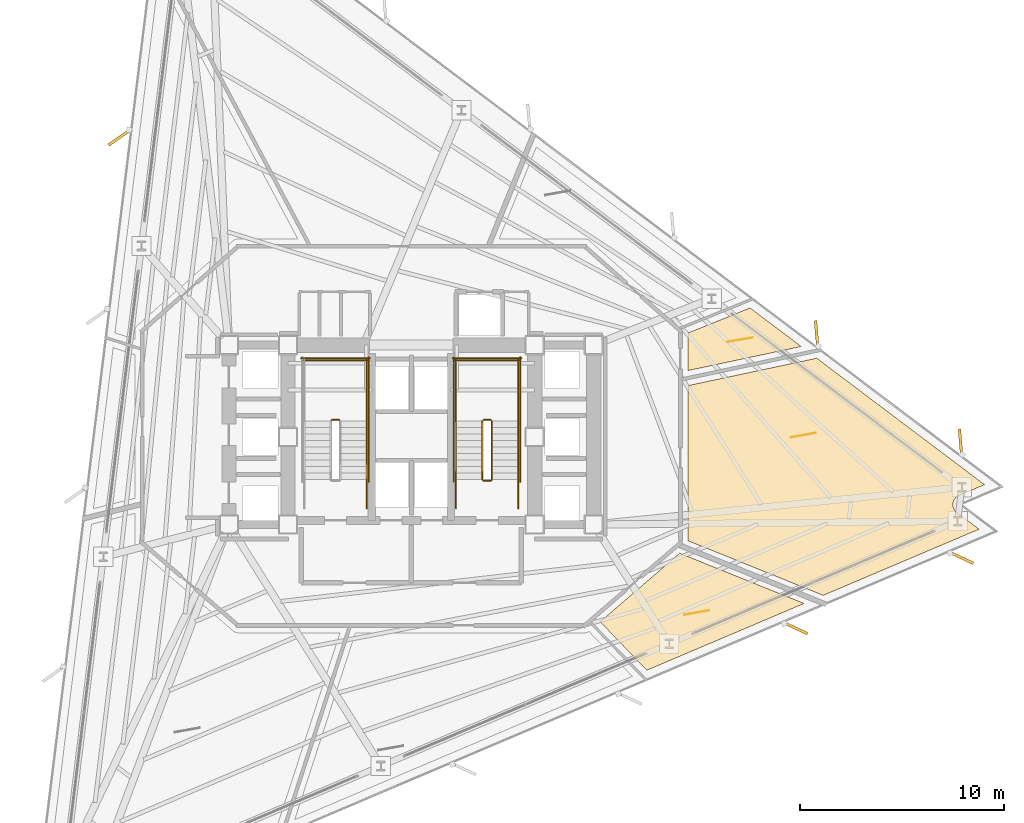
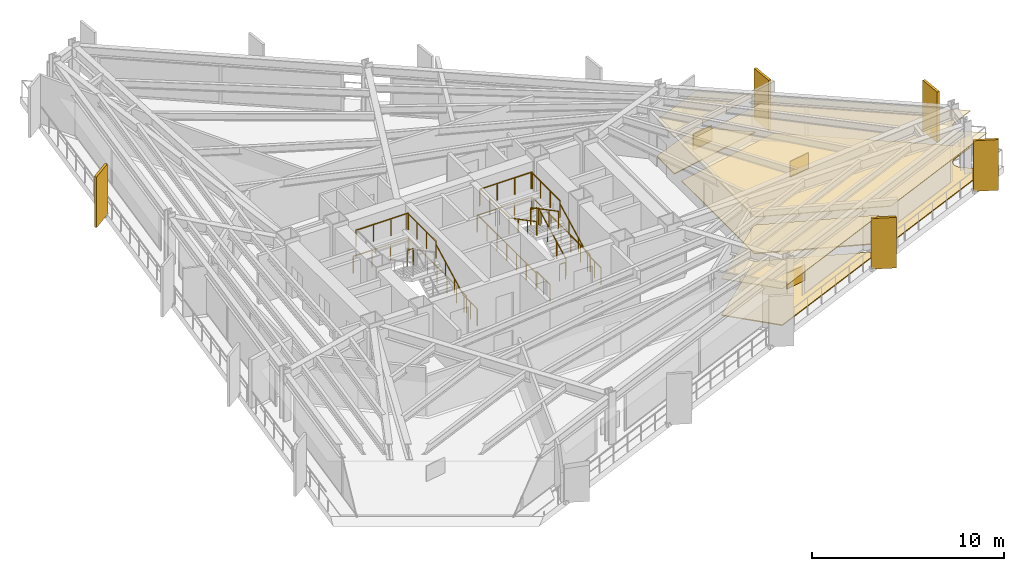
# One storey, part 12 of 13: 21 railings, 9 coverings, 5 shading devices.
"""IFC4 building model written with IfcOpenShell, lengths in metres."""

from ifc_helpers import new_model, si_unit, direction, frame, origin, origin_2d, place, context, subcontext, project, spatial, polyline, rectangle, outline, extrude, material, layer, layer_set, type_object, element, save


model = new_model("IFC4")

# Units and contexts
model_context = context("Model", 3, precision=1e-05, world=origin(), true_north=direction((0.0, 1.0)))
body_context = subcontext(model_context, "Body", "Model", "MODEL_VIEW")
ifc_project = project(units=[si_unit("LENGTHUNIT", "METRE"), si_unit("AREAUNIT", "SQUARE_METRE"), si_unit("VOLUMEUNIT", "CUBIC_METRE"), si_unit("PLANEANGLEUNIT", "RADIAN"), si_unit("MASSUNIT", "GRAM", prefix="KILO")], contexts=[model_context])

# Site, building, storey
site_placement = place(None, origin())
site = spatial("IfcSite", under=ifc_project, at=site_placement, CompositionType="ELEMENT")
building_placement = place(site_placement, origin())
building = spatial("IfcBuilding", under=site, at=building_placement, Name="Rocaltana Carrier Exchange", CompositionType="ELEMENT")
storey_placement = place(building_placement, frame((0.0, 0.0, 49.60009765625)))
storey = spatial("IfcBuildingStorey", under=building, at=storey_placement, Name="L15", CompositionType="ELEMENT", Elevation=49.60009765625)

# Coverings
ifc_material_1 = material(Name="Calcium Sulphate & Aluminium Pedestal", Category="aluminium")
ifc_layer_1 = layer(ifc_material_1, 0.06005859375)
ifc_layer_set_1 = layer_set([ifc_layer_1], Name="Calcium Sulphate & Aluminium Pedestal")
covering_type_1 = type_object("IfcCoveringType", Name="Anti-Static Raised Exchange Access Floor 60", PredefinedType="FLOORING", material=ifc_layer_set_1)
covering_1_placement = place(storey_placement, origin())
element("IfcCovering", 1, at=covering_1_placement, inside=storey, type_object=covering_type_1, Name="L15 Network Engineering Studio Finish Floor", PredefinedType="FLOORING", context=body_context, shape_type="SweptSolid", body=[
    extrude(outline(polyline([(11.553955078125, -11.4462890625), (9.259765625, -9.070556640625), (13.16357421875, -5.706787109375), (19.266357421875, -8.17236328125), (11.553955078125, -11.4462890625)])), origin(), (0.0, 0.0, 1.0), 0.059814453125),
])
covering_2_placement = place(storey_placement, origin())
element("IfcCovering", 2, at=covering_2_placement, inside=storey, type_object=covering_type_1, Name="L15 Peering Conference Room Finish Floor", PredefinedType="FLOORING", context=body_context, shape_type="SweptSolid", body=[
    extrude(outline(polyline([(13.56005859375, -5.09033203125), (13.56005859375, 2.51416015625), (19.8876953125, 3.859130859375), (28.1201171875, -2.344482421875), (26.860107421875, -2.87939453125), (26.847412109375, -2.885009765625), (26.82958984375, -2.893798828125), (26.80517578125, -2.906982421875), (26.7880859375, -2.91748046875), (26.76513671875, -2.933349609375), (26.749267578125, -2.9453125), (26.727783203125, -2.96337890625), (26.71337890625, -2.97705078125), (26.69384765625, -2.9970703125), (26.6806640625, -3.01220703125), (26.663330078125, -3.033935546875), (26.65185546875, -3.050048828125), (26.63671875, -3.073486328125), (26.626708984375, -3.0908203125), (26.614013671875, -3.11572265625), (26.60595703125, -3.134033203125), (26.595703125, -3.159912109375), (26.589599609375, -3.178955078125), (26.58203125, -3.205810546875), (26.57763671875, -3.225341796875), (26.57275390625, -3.252685546875), (26.5703125, -3.2724609375), (26.568359375, -3.30029296875), (26.56787109375, -3.3203125), (26.568603515625, -3.34814453125), (26.5703125, -3.3681640625), (26.57373046875, -3.395751953125), (26.577392578125, -3.415283203125), (26.58349609375, -3.442626953125), (26.589111328125, -3.4619140625), (26.597900390625, -3.48828125), (26.605224609375, -3.5068359375), (26.616943359375, -3.5322265625), (26.6259765625, -3.5498046875), (26.639892578125, -3.573974609375), (26.65087890625, -3.5908203125), (26.667236328125, -3.61328125), (26.6796875, -3.62890625), (26.6982421875, -3.64990234375), (26.712158203125, -3.6640625), (26.732666015625, -3.68310546875), (26.748046875, -3.69580078125), (26.7587890625, -3.70458984375), (27.851806640625, -4.528076171875), (20.20361328125, -7.7744140625), (13.56005859375, -5.09033203125)])), origin(), (0.0, 0.0, 1.0), 0.059814453125),
])
covering_3_placement = place(storey_placement, origin())
element("IfcCovering", 3, at=covering_3_placement, inside=storey, type_object=covering_type_1, Name="L15 Protocol Calibration Laboratory Finish Floor", PredefinedType="FLOORING", context=body_context, shape_type="SweptSolid", body=[
    extrude(outline(polyline([(13.56005859375, 5.09033203125), (16.615478515625, 6.32470703125), (19.125732421875, 4.433349609375), (13.56005859375, 3.250244140625), (13.56005859375, 5.09033203125)])), origin(), (0.0, 0.0, 1.0), 0.059814453125),
])
ifc_material_2 = material(Name="Mineral Fibre & Powder-Coated Aluminium", Category="aluminium")
ifc_layer_2 = layer(ifc_material_2, 0.044921875)
ifc_layer_set_2 = layer_set([ifc_layer_2], Name="Mineral Fibre & Powder-Coated Aluminium")
covering_type_2 = type_object("IfcCoveringType", Name="Micro-Perforated Acoustic Ceiling 45", PredefinedType="CEILING", material=ifc_layer_set_2)
covering_4_placement = place(storey_placement, frame((0.0, 0.0, 2.322998046875)))
element("IfcCovering", 4, at=covering_4_placement, inside=storey, type_object=covering_type_2, Name="L15 Network Engineering Studio Acoustic Ceiling", PredefinedType="CEILING", context=body_context, shape_type="SweptSolid", body=[
    extrude(outline(polyline([(11.553955078125, -11.4462890625), (9.259765625, -9.070556640625), (13.16357421875, -5.706787109375), (19.266357421875, -8.17236328125), (11.553955078125, -11.4462890625)])), origin(), (0.0, 0.0, 1.0), 0.044921875),
])
covering_5_placement = place(storey_placement, frame((0.0, 0.0, 2.322998046875)))
element("IfcCovering", 5, at=covering_5_placement, inside=storey, type_object=covering_type_2, Name="L15 Peering Conference Room Acoustic Ceiling", PredefinedType="CEILING", context=body_context, shape_type="SweptSolid", body=[
    extrude(outline(polyline([(13.56005859375, -5.09033203125), (13.56005859375, 2.51416015625), (19.8876953125, 3.859130859375), (28.1201171875, -2.344482421875), (26.860107421875, -2.87939453125), (26.847412109375, -2.885009765625), (26.82958984375, -2.893798828125), (26.80517578125, -2.906982421875), (26.7880859375, -2.91748046875), (26.76513671875, -2.933349609375), (26.749267578125, -2.9453125), (26.727783203125, -2.96337890625), (26.71337890625, -2.97705078125), (26.69384765625, -2.9970703125), (26.6806640625, -3.01220703125), (26.663330078125, -3.033935546875), (26.65185546875, -3.050048828125), (26.63671875, -3.073486328125), (26.626708984375, -3.0908203125), (26.614013671875, -3.11572265625), (26.60595703125, -3.134033203125), (26.595703125, -3.159912109375), (26.589599609375, -3.178955078125), (26.58203125, -3.205810546875), (26.57763671875, -3.225341796875), (26.57275390625, -3.252685546875), (26.5703125, -3.2724609375), (26.568359375, -3.30029296875), (26.56787109375, -3.3203125), (26.568603515625, -3.34814453125), (26.5703125, -3.3681640625), (26.57373046875, -3.395751953125), (26.577392578125, -3.415283203125), (26.58349609375, -3.442626953125), (26.589111328125, -3.4619140625), (26.597900390625, -3.48828125), (26.605224609375, -3.5068359375), (26.616943359375, -3.5322265625), (26.6259765625, -3.5498046875), (26.639892578125, -3.573974609375), (26.65087890625, -3.5908203125), (26.667236328125, -3.61328125), (26.6796875, -3.62890625), (26.6982421875, -3.64990234375), (26.712158203125, -3.6640625), (26.732666015625, -3.68310546875), (26.748046875, -3.69580078125), (26.7587890625, -3.70458984375), (27.851806640625, -4.528076171875), (20.20361328125, -7.7744140625), (13.56005859375, -5.09033203125)])), origin(), (0.0, 0.0, 1.0), 0.044921875),
])
covering_6_placement = place(storey_placement, frame((0.0, 0.0, 2.322998046875)))
element("IfcCovering", 6, at=covering_6_placement, inside=storey, type_object=covering_type_2, Name="L15 Protocol Calibration Laboratory Acoustic Ceiling", PredefinedType="CEILING", context=body_context, shape_type="SweptSolid", body=[
    extrude(outline(polyline([(13.56005859375, 5.09033203125), (16.615478515625, 6.32470703125), (19.125732421875, 4.433349609375), (13.56005859375, 3.250244140625), (13.56005859375, 5.09033203125)])), origin(), (0.0, 0.0, 1.0), 0.044921875),
])

# Railings
ifc_material_3 = material(Name="Brushed Architectural Stainless Tube", Category="steel")
ifc_layer_3 = layer(ifc_material_3, 0.048095703125)
ifc_layer_set_3 = layer_set([ifc_layer_3], Name="Brushed Architectural Stainless Tube")
railing_type_1 = type_object("IfcRailingType", Name="Stair Wall Handrail 920", PredefinedType="HANDRAIL", material=ifc_layer_set_3)
for number, where, name in (
    (7, (-2.18994140625, -2.10009765625, 0.16796875), "L15 ST-1 stair handrail 1"),
    (8, (5.25, -2.10009765625, 0.16796875), "L15 ST-2 stair handrail 1"),
):
    element("IfcRailing", number, at=place(storey_placement, frame(where)), inside=storey, type_object=railing_type_1, Name=name, PredefinedType="HANDRAIL", context=body_context, shape_type="SweptSolid", body=[
        extrude(rectangle(XDim=0.048095703125, YDim=0.048095703125, at=origin_2d()), frame((0.0, 0.0, 0.8759765625), z_axis=(0.0, 0.885411030485, 0.464808893091), x_axis=(-1.0, 0.0, 0.0)), (0.0, 0.0, 1.0), 3.2529296875),
        extrude(rectangle(XDim=0.0419921875, YDim=0.0419921875, at=origin_2d()), origin(), (0.0, 0.0, 1.0), 0.851806640625),
        extrude(rectangle(XDim=0.0419921875, YDim=0.0419921875, at=origin_2d()), frame((0.0, 0.9599609375, 0.50390625)), (0.0, 0.0, 1.0), 0.851806640625),
        extrude(rectangle(XDim=0.0419921875, YDim=0.0419921875, at=origin_2d()), frame((0.0, 1.920166015625, 1.008056640625)), (0.0, 0.0, 1.0), 0.851806640625),
        extrude(rectangle(XDim=0.0419921875, YDim=0.0419921875, at=origin_2d()), frame((0.0, 2.880126953125, 1.511962890625)), (0.0, 0.0, 1.0), 0.851806640625),
    ])
railing_1_placement = place(storey_placement, frame((2.18994140625, 0.780029296875, 1.847900390625)))
element("IfcRailing", 9, at=railing_1_placement, inside=storey, type_object=railing_type_1, Name="L15 ST-2 stair handrail 2", PredefinedType="HANDRAIL", context=body_context, shape_type="SweptSolid", body=[
    extrude(rectangle(XDim=0.048095703125, YDim=0.048095703125, at=origin_2d()), frame((0.0, 0.0, 0.8759765625), z_axis=(0.0, -0.885411030485, 0.464808893091), x_axis=(1.0, 0.0, 0.0)), (0.0, 0.0, 1.0), 3.2529296875),
    extrude(rectangle(XDim=0.0419921875, YDim=0.0419921875, at=origin_2d()), origin(), (0.0, 0.0, 1.0), 0.851806640625),
    extrude(rectangle(XDim=0.0419921875, YDim=0.0419921875, at=origin_2d()), frame((0.0, -0.9599609375, 0.50390625)), (0.0, 0.0, 1.0), 0.851806640625),
    extrude(rectangle(XDim=0.0419921875, YDim=0.0419921875, at=origin_2d()), frame((0.0, -1.920166015625, 1.008056640625)), (0.0, 0.0, 1.0), 0.851806640625),
    extrude(rectangle(XDim=0.0419921875, YDim=0.0419921875, at=origin_2d()), frame((0.0, -2.880126953125, 1.511962890625)), (0.0, 0.0, 1.0), 0.851806640625),
])
ifc_material_4 = material(Name="Powder-Coated Aluminium 6063-T6", Category="aluminium")
ifc_layer_4 = layer(ifc_material_4, 0.048095703125)
ifc_layer_set_4 = layer_set([ifc_layer_4], Name="Powder-Coated Aluminium 6063-T6")
railing_type_2 = type_object("IfcRailingType", Name="Stair Well Guardrail 1100", PredefinedType="GUARDRAIL", material=ifc_layer_set_4)
railing_2_placement = place(storey_placement, frame((-3.5400390625, 0.830078125, 1.679931640625)))
element("IfcRailing", 10, at=railing_2_placement, inside=storey, type_object=railing_type_2, Name="L15 ST-1 stair guard 2", PredefinedType="GUARDRAIL", context=body_context, shape_type="SweptSolid", body=[
    extrude(rectangle(XDim=0.048095703125, YDim=0.048095703125, at=origin_2d()), frame((0.0, 0.0, 1.076171875), z_axis=(-1.0, 0.0, 0.0), x_axis=(0.0, -1.0, 0.0)), (0.0, 0.0, 1.0), 0.35986328125),
    extrude(rectangle(XDim=0.0419921875, YDim=0.0419921875, at=origin_2d()), origin(), (0.0, 0.0, 1.0), 1.052001953125),
    extrude(rectangle(XDim=0.0419921875, YDim=0.0419921875, at=origin_2d()), frame((-0.35986328125, 0.0, 0.0)), (0.0, 0.0, 1.0), 1.052001953125),
])
railing_3_placement = place(storey_placement, frame((-2.18994140625, 0.780029296875, 1.679931640625)))
element("IfcRailing", 11, at=railing_3_placement, inside=storey, type_object=railing_type_2, Name="L15 ST-1 stair guard 3", PredefinedType="GUARDRAIL", context=body_context, shape_type="SweptSolid", body=[
    extrude(rectangle(XDim=0.048095703125, YDim=0.048095703125, at=origin_2d()), frame((0.0, 0.0, 1.076171875), z_axis=(0.0, 1.0, 0.0), x_axis=(-1.0, 0.0, 0.0)), (0.0, 0.0, 1.0), 3.02001953125),
    extrude(rectangle(XDim=0.0419921875, YDim=0.0419921875, at=origin_2d()), origin(), (0.0, 0.0, 1.0), 1.052001953125),
    extrude(rectangle(XDim=0.0419921875, YDim=0.0419921875, at=origin_2d()), frame((0.0, 1.006591796875, 0.0)), (0.0, 0.0, 1.0), 1.052001953125),
    extrude(rectangle(XDim=0.0419921875, YDim=0.0419921875, at=origin_2d()), frame((0.0, 2.013427734375, 0.0)), (0.0, 0.0, 1.0), 1.052001953125),
    extrude(rectangle(XDim=0.0419921875, YDim=0.0419921875, at=origin_2d()), frame((0.0, 3.02001953125, 0.0)), (0.0, 0.0, 1.0), 1.052001953125),
])
railing_4_placement = place(storey_placement, frame((-2.139892578125, 3.75, 1.679931640625)))
element("IfcRailing", 12, at=railing_4_placement, inside=storey, type_object=railing_type_2, Name="L15 ST-1 stair guard 5", PredefinedType="GUARDRAIL", context=body_context, shape_type="SweptSolid", body=[
    extrude(rectangle(XDim=0.048095703125, YDim=0.048095703125, at=origin_2d()), frame((0.0, 0.0, 1.076171875), z_axis=(-1.0, 0.0, 0.0), x_axis=(0.0, -1.0, 0.0)), (0.0, 0.0, 1.0), 3.16015625),
    extrude(rectangle(XDim=0.0419921875, YDim=0.0419921875, at=origin_2d()), origin(), (0.0, 0.0, 1.0), 1.052001953125),
    extrude(rectangle(XDim=0.0419921875, YDim=0.0419921875, at=origin_2d()), frame((-1.053466796875, 0.0, 0.0)), (0.0, 0.0, 1.0), 1.052001953125),
    extrude(rectangle(XDim=0.0419921875, YDim=0.0419921875, at=origin_2d()), frame((-2.106689453125, 0.0, 0.0)), (0.0, 0.0, 1.0), 1.052001953125),
    extrude(rectangle(XDim=0.0419921875, YDim=0.0419921875, at=origin_2d()), frame((-3.16015625, 0.0, 0.0)), (0.0, 0.0, 1.0), 1.052001953125),
])
railing_5_placement = place(storey_placement, frame((-2.18994140625, -3.5, 0.0)))
element("IfcRailing", 13, at=railing_5_placement, inside=storey, type_object=railing_type_2, Name="L15 ST-1 stair guard 8", PredefinedType="GUARDRAIL", context=body_context, shape_type="SweptSolid", body=[
    extrude(rectangle(XDim=0.048095703125, YDim=0.048095703125, at=origin_2d()), frame((0.0, 0.0, 1.076171875), z_axis=(0.0, 1.0, 0.0), x_axis=(-1.0, 0.0, 0.0)), (0.0, 0.0, 1.0), 1.39990234375),
    extrude(rectangle(XDim=0.0419921875, YDim=0.0419921875, at=origin_2d()), origin(), (0.0, 0.0, 1.0), 1.052001953125),
    extrude(rectangle(XDim=0.0419921875, YDim=0.0419921875, at=origin_2d()), frame((0.0, 0.699951171875, 0.0)), (0.0, 0.0, 1.0), 1.052001953125),
    extrude(rectangle(XDim=0.0419921875, YDim=0.0419921875, at=origin_2d()), frame((0.0, 1.39990234375, 0.0)), (0.0, 0.0, 1.0), 1.052001953125),
])
railing_6_placement = place(storey_placement, frame((-2.090087890625, -2.199951171875, 0.0)))
element("IfcRailing", 14, at=railing_6_placement, inside=storey, type_object=railing_type_2, Name="L15 ST-1 stair guard 10", PredefinedType="GUARDRAIL", context=body_context, shape_type="SweptSolid", body=[
    extrude(rectangle(XDim=0.048095703125, YDim=0.048095703125, at=origin_2d()), frame((0.0, 0.0, 1.076171875), z_axis=(0.0, 1.0, 0.0), x_axis=(-1.0, 0.0, 0.0)), (0.0, 0.0, 1.0), 6.099853515625),
    extrude(rectangle(XDim=0.0419921875, YDim=0.0419921875, at=origin_2d()), origin(), (0.0, 0.0, 1.0), 1.052001953125),
    extrude(rectangle(XDim=0.0419921875, YDim=0.0419921875, at=origin_2d()), frame((0.0, 1.0166015625, 0.0)), (0.0, 0.0, 1.0), 1.052001953125),
    extrude(rectangle(XDim=0.0419921875, YDim=0.0419921875, at=origin_2d()), frame((0.0, 2.033203125, 0.0)), (0.0, 0.0, 1.0), 1.052001953125),
    extrude(rectangle(XDim=0.0419921875, YDim=0.0419921875, at=origin_2d()), frame((0.0, 3.0498046875, 0.0)), (0.0, 0.0, 1.0), 1.052001953125),
    extrude(rectangle(XDim=0.0419921875, YDim=0.0419921875, at=origin_2d()), frame((0.0, 4.066650390625, 0.0)), (0.0, 0.0, 1.0), 1.052001953125),
    extrude(rectangle(XDim=0.0419921875, YDim=0.0419921875, at=origin_2d()), frame((0.0, 5.083251953125, 0.0)), (0.0, 0.0, 1.0), 1.052001953125),
    extrude(rectangle(XDim=0.0419921875, YDim=0.0419921875, at=origin_2d()), frame((0.0, 6.099853515625, 0.0)), (0.0, 0.0, 1.0), 1.052001953125),
])
railing_7_placement = place(storey_placement, frame((-2.0400390625, 3.85009765625, 0.0)))
element("IfcRailing", 15, at=railing_7_placement, inside=storey, type_object=railing_type_2, Name="L15 ST-1 stair guard 12", PredefinedType="GUARDRAIL", context=body_context, shape_type="SweptSolid", body=[
    extrude(rectangle(XDim=0.048095703125, YDim=0.048095703125, at=origin_2d()), frame((0.0, 0.0, 1.076171875), z_axis=(-1.0, 0.0, 0.0), x_axis=(0.0, -1.0, 0.0)), (0.0, 0.0, 1.0), 3.35986328125),
    extrude(rectangle(XDim=0.0419921875, YDim=0.0419921875, at=origin_2d()), origin(), (0.0, 0.0, 1.0), 1.052001953125),
    extrude(rectangle(XDim=0.0419921875, YDim=0.0419921875, at=origin_2d()), frame((-1.119873046875, 0.0, 0.0)), (0.0, 0.0, 1.0), 1.052001953125),
    extrude(rectangle(XDim=0.0419921875, YDim=0.0419921875, at=origin_2d()), frame((-2.239990234375, 0.0, 0.0)), (0.0, 0.0, 1.0), 1.052001953125),
    extrude(rectangle(XDim=0.0419921875, YDim=0.0419921875, at=origin_2d()), frame((-3.35986328125, 0.0, 0.0)), (0.0, 0.0, 1.0), 1.052001953125),
])
railing_8_placement = place(storey_placement, frame((3.949951171875, -2.10009765625, 0.16796875)))
element("IfcRailing", 16, at=railing_8_placement, inside=storey, type_object=railing_type_2, Name="L15 ST-2 stair guard 1", PredefinedType="GUARDRAIL", context=body_context, shape_type="SweptSolid", body=[
    extrude(rectangle(XDim=0.048095703125, YDim=0.048095703125, at=origin_2d()), frame((0.0, 0.0, 1.076171875), z_axis=(0.0, 0.885411030485, 0.464808893091), x_axis=(-1.0, 0.0, 0.0)), (0.0, 0.0, 1.0), 3.2529296875),
    extrude(rectangle(XDim=0.0419921875, YDim=0.0419921875, at=origin_2d()), origin(), (0.0, 0.0, 1.0), 1.052001953125),
    extrude(rectangle(XDim=0.0419921875, YDim=0.0419921875, at=origin_2d()), frame((0.0, 0.9599609375, 0.50390625)), (0.0, 0.0, 1.0), 1.052001953125),
    extrude(rectangle(XDim=0.0419921875, YDim=0.0419921875, at=origin_2d()), frame((0.0, 1.920166015625, 1.008056640625)), (0.0, 0.0, 1.0), 1.052001953125),
    extrude(rectangle(XDim=0.0419921875, YDim=0.0419921875, at=origin_2d()), frame((0.0, 2.880126953125, 1.511962890625)), (0.0, 0.0, 1.0), 1.052001953125),
])
railing_9_placement = place(storey_placement, frame((3.89990234375, 0.830078125, 1.679931640625)))
element("IfcRailing", 17, at=railing_9_placement, inside=storey, type_object=railing_type_2, Name="L15 ST-2 stair guard 2", PredefinedType="GUARDRAIL", context=body_context, shape_type="SweptSolid", body=[
    extrude(rectangle(XDim=0.048095703125, YDim=0.048095703125, at=origin_2d()), frame((0.0, 0.0, 1.076171875), z_axis=(-1.0, 0.0, 0.0), x_axis=(0.0, -1.0, 0.0)), (0.0, 0.0, 1.0), 0.35986328125),
    extrude(rectangle(XDim=0.0419921875, YDim=0.0419921875, at=origin_2d()), origin(), (0.0, 0.0, 1.0), 1.052001953125),
    extrude(rectangle(XDim=0.0419921875, YDim=0.0419921875, at=origin_2d()), frame((-0.35986328125, 0.0, 0.0)), (0.0, 0.0, 1.0), 1.052001953125),
])
for number, where, name in (
    (18, (5.25, 0.780029296875, 1.679931640625), "L15 ST-2 stair guard 3"),
    (19, (2.18994140625, 0.780029296875, 1.679931640625), "L15 ST-2 stair guard 4"),
):
    element("IfcRailing", number, at=place(storey_placement, frame(where)), inside=storey, type_object=railing_type_2, Name=name, PredefinedType="GUARDRAIL", context=body_context, shape_type="SweptSolid", body=[
        extrude(rectangle(XDim=0.048095703125, YDim=0.048095703125, at=origin_2d()), frame((0.0, 0.0, 1.076171875), z_axis=(0.0, 1.0, 0.0), x_axis=(-1.0, 0.0, 0.0)), (0.0, 0.0, 1.0), 3.02001953125),
        extrude(rectangle(XDim=0.0419921875, YDim=0.0419921875, at=origin_2d()), origin(), (0.0, 0.0, 1.0), 1.052001953125),
        extrude(rectangle(XDim=0.0419921875, YDim=0.0419921875, at=origin_2d()), frame((0.0, 1.006591796875, 0.0)), (0.0, 0.0, 1.0), 1.052001953125),
        extrude(rectangle(XDim=0.0419921875, YDim=0.0419921875, at=origin_2d()), frame((0.0, 2.013427734375, 0.0)), (0.0, 0.0, 1.0), 1.052001953125),
        extrude(rectangle(XDim=0.0419921875, YDim=0.0419921875, at=origin_2d()), frame((0.0, 3.02001953125, 0.0)), (0.0, 0.0, 1.0), 1.052001953125),
    ])
railing_10_placement = place(storey_placement, frame((5.300048828125, 3.75, 1.679931640625)))
element("IfcRailing", 20, at=railing_10_placement, inside=storey, type_object=railing_type_2, Name="L15 ST-2 stair guard 5", PredefinedType="GUARDRAIL", context=body_context, shape_type="SweptSolid", body=[
    extrude(rectangle(XDim=0.048095703125, YDim=0.048095703125, at=origin_2d()), frame((0.0, 0.0, 1.076171875), z_axis=(-1.0, 0.0, 0.0), x_axis=(0.0, -1.0, 0.0)), (0.0, 0.0, 1.0), 3.16015625),
    extrude(rectangle(XDim=0.0419921875, YDim=0.0419921875, at=origin_2d()), origin(), (0.0, 0.0, 1.0), 1.052001953125),
    extrude(rectangle(XDim=0.0419921875, YDim=0.0419921875, at=origin_2d()), frame((-1.053466796875, 0.0, 0.0)), (0.0, 0.0, 1.0), 1.052001953125),
    extrude(rectangle(XDim=0.0419921875, YDim=0.0419921875, at=origin_2d()), frame((-2.106689453125, 0.0, 0.0)), (0.0, 0.0, 1.0), 1.052001953125),
    extrude(rectangle(XDim=0.0419921875, YDim=0.0419921875, at=origin_2d()), frame((-3.16015625, 0.0, 0.0)), (0.0, 0.0, 1.0), 1.052001953125),
])
railing_11_placement = place(storey_placement, frame((3.489990234375, 0.780029296875, 1.847900390625)))
element("IfcRailing", 21, at=railing_11_placement, inside=storey, type_object=railing_type_2, Name="L15 ST-2 stair guard 6", PredefinedType="GUARDRAIL", context=body_context, shape_type="SweptSolid", body=[
    extrude(rectangle(XDim=0.048095703125, YDim=0.048095703125, at=origin_2d()), frame((0.0, 0.0, 1.076171875), z_axis=(0.0, -0.885411030485, 0.464808893091), x_axis=(1.0, 0.0, 0.0)), (0.0, 0.0, 1.0), 3.2529296875),
    extrude(rectangle(XDim=0.0419921875, YDim=0.0419921875, at=origin_2d()), origin(), (0.0, 0.0, 1.0), 1.052001953125),
    extrude(rectangle(XDim=0.0419921875, YDim=0.0419921875, at=origin_2d()), frame((0.0, -0.9599609375, 0.50390625)), (0.0, 0.0, 1.0), 1.052001953125),
    extrude(rectangle(XDim=0.0419921875, YDim=0.0419921875, at=origin_2d()), frame((0.0, -1.920166015625, 1.008056640625)), (0.0, 0.0, 1.0), 1.052001953125),
    extrude(rectangle(XDim=0.0419921875, YDim=0.0419921875, at=origin_2d()), frame((0.0, -2.880126953125, 1.511962890625)), (0.0, 0.0, 1.0), 1.052001953125),
])
railing_12_placement = place(storey_placement, frame((3.89990234375, -2.14990234375, 0.0)))
element("IfcRailing", 22, at=railing_12_placement, inside=storey, type_object=railing_type_2, Name="L15 ST-2 stair guard 7", PredefinedType="GUARDRAIL", context=body_context, shape_type="SweptSolid", body=[
    extrude(rectangle(XDim=0.048095703125, YDim=0.048095703125, at=origin_2d()), frame((0.0, 0.0, 1.076171875), z_axis=(-1.0, 0.0, 0.0), x_axis=(0.0, -1.0, 0.0)), (0.0, 0.0, 1.0), 0.35986328125),
    extrude(rectangle(XDim=0.0419921875, YDim=0.0419921875, at=origin_2d()), origin(), (0.0, 0.0, 1.0), 1.052001953125),
    extrude(rectangle(XDim=0.0419921875, YDim=0.0419921875, at=origin_2d()), frame((-0.35986328125, 0.0, 0.0)), (0.0, 0.0, 1.0), 1.052001953125),
])
for number, where, name in (
    (23, (5.25, -3.5, 0.0), "L15 ST-2 stair guard 8"),
    (24, (2.18994140625, -3.5, 0.0), "L15 ST-2 stair guard 9"),
):
    element("IfcRailing", number, at=place(storey_placement, frame(where)), inside=storey, type_object=railing_type_2, Name=name, PredefinedType="GUARDRAIL", context=body_context, shape_type="SweptSolid", body=[
        extrude(rectangle(XDim=0.048095703125, YDim=0.048095703125, at=origin_2d()), frame((0.0, 0.0, 1.076171875), z_axis=(0.0, 1.0, 0.0), x_axis=(-1.0, 0.0, 0.0)), (0.0, 0.0, 1.0), 1.39990234375),
        extrude(rectangle(XDim=0.0419921875, YDim=0.0419921875, at=origin_2d()), origin(), (0.0, 0.0, 1.0), 1.052001953125),
        extrude(rectangle(XDim=0.0419921875, YDim=0.0419921875, at=origin_2d()), frame((0.0, 0.699951171875, 0.0)), (0.0, 0.0, 1.0), 1.052001953125),
        extrude(rectangle(XDim=0.0419921875, YDim=0.0419921875, at=origin_2d()), frame((0.0, 1.39990234375, 0.0)), (0.0, 0.0, 1.0), 1.052001953125),
    ])
for number, where, name in (
    (25, (5.35009765625, -2.199951171875, 0.0), "L15 ST-2 stair guard 10"),
    (26, (2.090087890625, -2.199951171875, 0.0), "L15 ST-2 stair guard 11"),
):
    element("IfcRailing", number, at=place(storey_placement, frame(where)), inside=storey, type_object=railing_type_2, Name=name, PredefinedType="GUARDRAIL", context=body_context, shape_type="SweptSolid", body=[
        extrude(rectangle(XDim=0.048095703125, YDim=0.048095703125, at=origin_2d()), frame((0.0, 0.0, 1.076171875), z_axis=(0.0, 1.0, 0.0), x_axis=(-1.0, 0.0, 0.0)), (0.0, 0.0, 1.0), 6.099853515625),
        extrude(rectangle(XDim=0.0419921875, YDim=0.0419921875, at=origin_2d()), origin(), (0.0, 0.0, 1.0), 1.052001953125),
        extrude(rectangle(XDim=0.0419921875, YDim=0.0419921875, at=origin_2d()), frame((0.0, 1.0166015625, 0.0)), (0.0, 0.0, 1.0), 1.052001953125),
        extrude(rectangle(XDim=0.0419921875, YDim=0.0419921875, at=origin_2d()), frame((0.0, 2.033203125, 0.0)), (0.0, 0.0, 1.0), 1.052001953125),
        extrude(rectangle(XDim=0.0419921875, YDim=0.0419921875, at=origin_2d()), frame((0.0, 3.0498046875, 0.0)), (0.0, 0.0, 1.0), 1.052001953125),
        extrude(rectangle(XDim=0.0419921875, YDim=0.0419921875, at=origin_2d()), frame((0.0, 4.066650390625, 0.0)), (0.0, 0.0, 1.0), 1.052001953125),
        extrude(rectangle(XDim=0.0419921875, YDim=0.0419921875, at=origin_2d()), frame((0.0, 5.083251953125, 0.0)), (0.0, 0.0, 1.0), 1.052001953125),
        extrude(rectangle(XDim=0.0419921875, YDim=0.0419921875, at=origin_2d()), frame((0.0, 6.099853515625, 0.0)), (0.0, 0.0, 1.0), 1.052001953125),
    ])
railing_13_placement = place(storey_placement, frame((5.39990234375, 3.85009765625, 0.0)))
element("IfcRailing", 27, at=railing_13_placement, inside=storey, type_object=railing_type_2, Name="L15 ST-2 stair guard 12", PredefinedType="GUARDRAIL", context=body_context, shape_type="SweptSolid", body=[
    extrude(rectangle(XDim=0.048095703125, YDim=0.048095703125, at=origin_2d()), frame((0.0, 0.0, 1.076171875), z_axis=(-1.0, 0.0, 0.0), x_axis=(0.0, -1.0, 0.0)), (0.0, 0.0, 1.0), 3.35986328125),
    extrude(rectangle(XDim=0.0419921875, YDim=0.0419921875, at=origin_2d()), origin(), (0.0, 0.0, 1.0), 1.052001953125),
    extrude(rectangle(XDim=0.0419921875, YDim=0.0419921875, at=origin_2d()), frame((-1.119873046875, 0.0, 0.0)), (0.0, 0.0, 1.0), 1.052001953125),
    extrude(rectangle(XDim=0.0419921875, YDim=0.0419921875, at=origin_2d()), frame((-2.239990234375, 0.0, 0.0)), (0.0, 0.0, 1.0), 1.052001953125),
    extrude(rectangle(XDim=0.0419921875, YDim=0.0419921875, at=origin_2d()), frame((-3.35986328125, 0.0, 0.0)), (0.0, 0.0, 1.0), 1.052001953125),
])

# Coverings
ifc_material_5 = material(Name="Honed Piedra Muneca Sandstone", Category="masonry")
ifc_layer_5 = layer(ifc_material_5, 0.034912109375)
ifc_layer_set_5 = layer_set([ifc_layer_5], Name="Honed Piedra Muneca Sandstone")
covering_type_3 = type_object("IfcCoveringType", Name="Stone Facade Cladding 35", PredefinedType="CLADDING", material=ifc_layer_set_5)
for number, where, z_axis, x_axis, name in (
    (28, (13.99462890625, -8.62158203125, 0.0), (0.0, 0.0, 1.0), (0.984807753012, 0.173648177667, 0.0), "L15 Stone Facade Cladding Panel 3"),
    (29, (19.22802734375, 0.0849609375, 0.0), (0.0, 0.0, 1.0), (0.984807753012, 0.173648177667, 0.0), "L15 Stone Facade Cladding Panel 4"),
    (30, (16.125, 4.76171875, 0.0), (0.0, 0.0, 1.0), (0.984807753012, 0.173648177667, 0.0), "L15 Stone Facade Cladding Panel 5"),
):
    element("IfcCovering", number, at=place(storey_placement, frame(where, z_axis=z_axis, x_axis=x_axis)), inside=storey, type_object=covering_type_3, Name=name, PredefinedType="CLADDING", context=body_context, shape_type="SweptSolid", body=[
        extrude(rectangle(XDim=1.25, YDim=0.034912109375, at=origin_2d()), origin(), (0.0, 0.0, 1.0), 1.050048828125),
    ])

# Shading devices
ifc_material_6 = material(Name="Honed Bogota Sandstone & Concrete C45/55", Category="masonry")
ifc_layer_6 = layer(ifc_material_6, 0.139892578125)
ifc_layer_set_6 = layer_set([ifc_layer_6], Name="Honed Bogota Sandstone & Concrete C45/55")
shading_device_type = type_object("IfcShadingDeviceType", Name="Vertical Sandstone Shading Fin 1320x140", PredefinedType="USERDEFINED", material=ifc_layer_set_6)
for number, where, z_axis, x_axis, name in (
    (31, (26.9423828125, -0.279052734375, -0.1201171875), (0.0, 0.0, 1.0), (-0.087155742748, 0.996194698092, 0.0), "L15 Sandstone Vertical Fin F1-01"),
    (32, (19.882568359375, 5.041015625, -0.1201171875), (0.0, 0.0, 1.0), (-0.087155742748, 0.996194698092, 0.0), "L15 Sandstone Vertical Fin F1-02"),
    (33, (-14.306884765625, 14.6982421875, -0.1201171875), (0.0, 0.0, 1.0), (-0.819152044289, -0.573576436351, 0.0), "L15 Sandstone Vertical Fin F2-02"),
    (34, (18.836181640625, -9.376953125, -0.1201171875), (0.0, 0.0, 1.0), (0.906307787037, -0.422618261741, 0.0), "L15 Sandstone Vertical Fin F3-05"),
    (35, (26.973388671875, -5.923095703125, -0.1201171875), (0.0, 0.0, 1.0), (0.906307787037, -0.422618261741, 0.0), "L15 Sandstone Vertical Fin F3-06"),
):
    element("IfcShadingDevice", number, at=place(storey_placement, frame(where, z_axis=z_axis, x_axis=x_axis)), inside=storey, type_object=shading_device_type, Name=name, ObjectType="FIN", PredefinedType="USERDEFINED", context=body_context, shape_type="SweptSolid", body=[
        extrude(rectangle(XDim=1.320068359375, YDim=0.139892578125, at=origin_2d()), origin(), (0.0, 0.0, 1.0), 3.218017578125),
    ])

save(model, "model.ifc")
